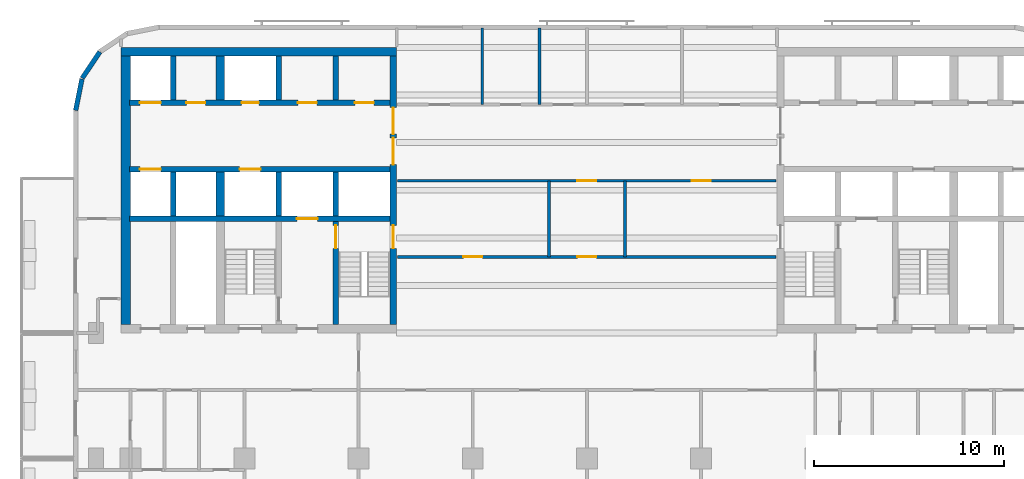
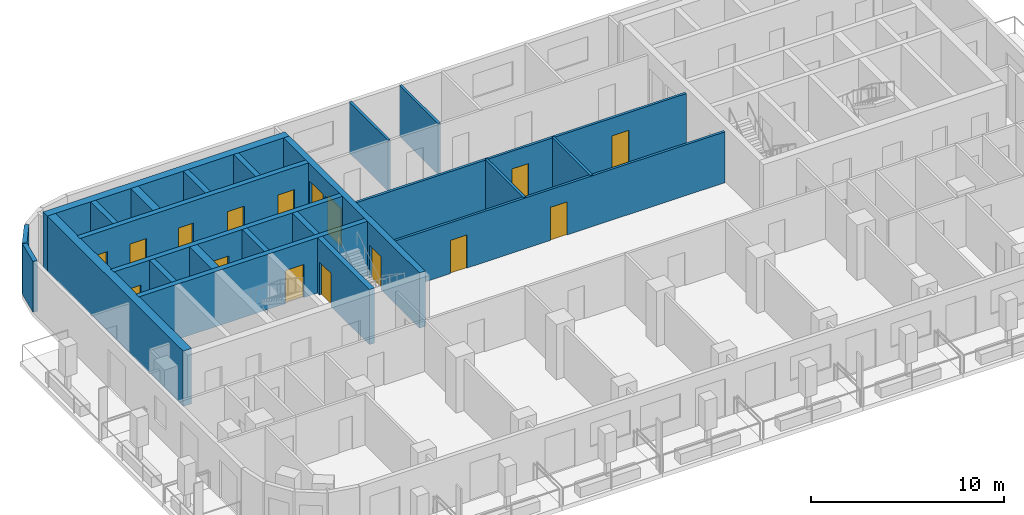
# One storey, part 4 of 11: 23 walls, 16 doors, 16 openings.
"""IFC4 building model written with IfcOpenShell, lengths in metres."""

from ifc_helpers import new_model, si_unit, direction, frame, frame_2d, origin, place, context, subcontext, project, spatial, rectangle, extrude, material, layer, layer_set, type_object, element, fill, save


model = new_model("IFC4")

# Units and contexts
model_context = context("Model", 3, precision=1e-05, world=origin(), true_north=direction((0.0, 1.0)))
body_context = subcontext(model_context, "Body", "Model", "MODEL_VIEW")
ifc_project = project(units=[si_unit("LENGTHUNIT", "METRE"), si_unit("AREAUNIT", "SQUARE_METRE"), si_unit("VOLUMEUNIT", "CUBIC_METRE"), si_unit("PLANEANGLEUNIT", "RADIAN"), si_unit("MASSUNIT", "GRAM", prefix="KILO")], contexts=[model_context])

# Site, building, storey
site_placement = place(None, origin())
site = spatial("IfcSite", under=ifc_project, at=site_placement, CompositionType="ELEMENT")
building_placement = place(site_placement, origin())
building = spatial("IfcBuilding", under=site, at=building_placement, Name="Torana Hotel and Residences", CompositionType="ELEMENT")
storey_placement = place(building_placement, frame((0.0, 0.0, 194.10009765625)))
storey = spatial("IfcBuildingStorey", under=building, at=storey_placement, Name="L50", CompositionType="ELEMENT", Elevation=194.10009765625)

# Wall, openings, doors
ifc_material_1 = material(Name="Concrete C70/85", Category="concrete")
ifc_layer_1 = layer(ifc_material_1, 0.300048828125)
ifc_layer_set_1 = layer_set([ifc_layer_1], Name="CORE WALL 300 C70/85")
wall_type_1 = type_object("IfcWallType", Name="CORE WALL 300 C70/85", PredefinedType="SHEAR", material=ifc_layer_set_1)
wall_1_placement = place(storey_placement, frame((-24.050048828125, -2.89990234375, 0.0), z_axis=(0.0, 0.0, 1.0), x_axis=(1.0, 0.0, 0.0)))
wall_1 = element("IfcWall", 1, at=wall_1_placement, inside=storey, type_object=wall_type_1, Name="Core wall W row-N", PredefinedType="SHEAR", context=body_context, shape_type="SweptSolid", body=[
    extrude(rectangle(XDim=13.699951171875, YDim=0.300048828125, at=frame_2d((6.85009765625, 0.0))), origin(), (0.0, 0.0, 1.0), 3.5),
])
opening_1_placement = place(wall_1_placement, frame((0.550048828125, 0.0, 0.0)))
opening_1 = element("IfcOpeningElement", 2, at=opening_1_placement, cuts=wall_1, Name="Opening LD", PredefinedType="OPENING", context=body_context, shape_type="SweptSolid", body=[
    extrude(rectangle(XDim=1.10009765625, YDim=2.10009765625, at=frame_2d((0.550048828125, 1.050048828125))), frame((0.0, 0.159912109375, 0.0), z_axis=(0.0, -1.0, 0.0), x_axis=(1.0, 0.0, 0.0)), (0.0, 0.0, 1.0), 0.320068359375),
])
opening_2_placement = place(wall_1_placement, frame((5.89990234375, 0.0, 0.0)))
opening_2 = element("IfcOpeningElement", 3, at=opening_2_placement, cuts=wall_1, Name="Opening L50-08", PredefinedType="OPENING", context=body_context, shape_type="SweptSolid", body=[
    extrude(rectangle(XDim=0.89990234375, YDim=2.10009765625, at=frame_2d((0.449951171875, 1.050048828125))), frame((0.0, 0.159912109375, 0.0), z_axis=(0.0, -1.0, 0.0), x_axis=(1.0, 0.0, 0.0)), (0.0, 0.0, 1.0), 0.320068359375),
])
opening_3_placement = place(wall_1_placement, frame((11.85009765625, 0.0, 0.0)))
opening_3 = element("IfcOpeningElement", 4, at=opening_3_placement, cuts=wall_1, Name="Opening L50-09", PredefinedType="OPENING", context=body_context, shape_type="SweptSolid", body=[
    extrude(rectangle(XDim=1.0, YDim=2.10009765625, at=frame_2d((0.5, 1.050048828125))), frame((0.0, 0.159912109375, 0.0), z_axis=(0.0, -1.0, 0.0), x_axis=(1.0, 0.0, 0.0)), (0.0, 0.0, 1.0), 0.320068359375),
])
opening_4_placement = place(wall_1_placement, frame((8.85009765625, 0.0, 0.0)))
opening_4 = element("IfcOpeningElement", 5, at=opening_4_placement, cuts=wall_1, Name="Opening L50-10", PredefinedType="OPENING", context=body_context, shape_type="SweptSolid", body=[
    extrude(rectangle(XDim=1.0, YDim=2.10009765625, at=frame_2d((0.5, 1.050048828125))), frame((0.0, 0.159912109375, 0.0), z_axis=(0.0, -1.0, 0.0), x_axis=(1.0, 0.0, 0.0)), (0.0, 0.0, 1.0), 0.320068359375),
])
opening_5_placement = place(wall_1_placement, frame((3.0, 0.0, 0.0)))
opening_5 = element("IfcOpeningElement", 6, at=opening_5_placement, cuts=wall_1, Name="Opening L50-11", PredefinedType="OPENING", context=body_context, shape_type="SweptSolid", body=[
    extrude(rectangle(XDim=1.0, YDim=2.10009765625, at=frame_2d((0.5, 1.050048828125))), frame((0.0, 0.159912109375, 0.0), z_axis=(0.0, -1.0, 0.0), x_axis=(1.0, 0.0, 0.0)), (0.0, 0.0, 1.0), 0.320068359375),
])
ifc_material_2 = material(Name="Steel S235", Category="steel")
door_type_1 = type_object("IfcDoorType", Name="CORE ROOM FIRE DOOR D14 1000x2100", OperationType="SINGLE_SWING_LEFT", PredefinedType="DOOR", material=ifc_material_2)
door_1_placement = place(opening_3_placement, origin())
door_1 = element("IfcDoor", 7, at=door_1_placement, inside=storey, type_object=door_type_1, Name="N0 door L50", OperationType="SINGLE_SWING_RIGHT", OverallHeight=2.10009765625, OverallWidth=1.0, PredefinedType="DOOR", context=body_context, shape_type="SweptSolid", body=[
    extrude(rectangle(XDim=1.0, YDim=2.10009765625, at=frame_2d((0.5, 1.050048828125))), frame((0.0, 0.02490234375, 0.0), z_axis=(0.0, -1.0, 0.0), x_axis=(1.0, 0.0, 0.0)), (0.0, 0.0, 1.0), 0.050048828125),
])
fill(opening_3, door_1)
door_2_placement = place(opening_4_placement, origin())
door_2 = element("IfcDoor", 8, at=door_2_placement, inside=storey, type_object=door_type_1, Name="N1 door L50", OperationType="SINGLE_SWING_RIGHT", OverallHeight=2.10009765625, OverallWidth=1.0, PredefinedType="DOOR", context=body_context, shape_type="SweptSolid", body=[
    extrude(rectangle(XDim=1.0, YDim=2.10009765625, at=frame_2d((0.5, 1.050048828125))), frame((0.0, 0.02490234375, 0.0), z_axis=(0.0, -1.0, 0.0), x_axis=(1.0, 0.0, 0.0)), (0.0, 0.0, 1.0), 0.050048828125),
])
fill(opening_4, door_2)
door_3_placement = place(opening_5_placement, origin())
door_3 = element("IfcDoor", 9, at=door_3_placement, inside=storey, type_object=door_type_1, Name="Freed-S1 door L50", OperationType="SINGLE_SWING_RIGHT", OverallHeight=2.10009765625, OverallWidth=1.0, PredefinedType="DOOR", context=body_context, shape_type="SweptSolid", body=[
    extrude(rectangle(XDim=1.0, YDim=2.10009765625, at=frame_2d((0.5, 1.050048828125))), frame((0.0, 0.02490234375, 0.0), z_axis=(0.0, -1.0, 0.0), x_axis=(1.0, 0.0, 0.0)), (0.0, 0.0, 1.0), 0.050048828125),
])
fill(opening_5, door_3)
ifc_material_3 = material(Name="Stainless steel 316", Category="steel")
door_type_2 = type_object("IfcDoorType", Name="LIFT LANDING DOOR LD 1100x2100", OperationType="DOUBLE_DOOR_SLIDING", PredefinedType="USERDEFINED", material=ifc_material_3)
door_4_placement = place(opening_1_placement, origin())
door_4 = element("IfcDoor", 10, at=door_4_placement, inside=storey, type_object=door_type_2, Name="Lift landing door M1 L50", ObjectType="LIFT LANDING DOOR", OperationType="DOUBLE_DOOR_SLIDING", OverallHeight=2.10009765625, OverallWidth=1.10009765625, PredefinedType="USERDEFINED", context=body_context, shape_type="SweptSolid", body=[
    extrude(rectangle(XDim=1.10009765625, YDim=2.10009765625, at=frame_2d((0.550048828125, 1.050048828125))), frame((0.0, 0.02490234375, 0.0), z_axis=(0.0, -1.0, 0.0), x_axis=(1.0, 0.0, 0.0)), (0.0, 0.0, 1.0), 0.050048828125),
])
fill(opening_1, door_4)
ifc_material_4 = material(Name="Steel S235", Category="steel")
door_type_3 = type_object("IfcDoorType", Name="RISER ACCESS DOOR D5 900x2100", OperationType="SINGLE_SWING_LEFT", PredefinedType="DOOR", material=ifc_material_4)
door_5_placement = place(opening_2_placement, origin())
door_5 = element("IfcDoor", 11, at=door_5_placement, inside=storey, type_object=door_type_3, Name="N2 door L50", OperationType="SINGLE_SWING_RIGHT", OverallHeight=2.10009765625, OverallWidth=0.89990234375, PredefinedType="DOOR", context=body_context, shape_type="SweptSolid", body=[
    extrude(rectangle(XDim=0.89990234375, YDim=2.10009765625, at=frame_2d((0.449951171875, 1.050048828125))), frame((0.0, 0.02490234375, 0.0), z_axis=(0.0, -1.0, 0.0), x_axis=(1.0, 0.0, 0.0)), (0.0, 0.0, 1.0), 0.050048828125),
])
fill(opening_2, door_5)

wall_2_placement = place(storey_placement, frame((-24.050048828125, -6.39990234375, 0.0), z_axis=(0.0, 0.0, 1.0), x_axis=(1.0, 0.0, 0.0)))
wall_2 = element("IfcWall", 12, at=wall_2_placement, inside=storey, type_object=wall_type_1, Name="Core wall W row-S", PredefinedType="SHEAR", context=body_context, shape_type="SweptSolid", body=[
    extrude(rectangle(XDim=13.699951171875, YDim=0.300048828125, at=frame_2d((6.85009765625, 0.0))), origin(), (0.0, 0.0, 1.0), 3.5),
])
opening_6_placement = place(wall_2_placement, frame((0.550048828125, 0.0, 0.0)))
opening_6 = element("IfcOpeningElement", 13, at=opening_6_placement, cuts=wall_2, Name="Opening LD", PredefinedType="OPENING", context=body_context, shape_type="SweptSolid", body=[
    extrude(rectangle(XDim=1.10009765625, YDim=2.10009765625, at=frame_2d((0.550048828125, 1.050048828125))), frame((0.0, 0.159912109375, 0.0), z_axis=(0.0, -1.0, 0.0), x_axis=(1.0, 0.0, 0.0)), (0.0, 0.0, 1.0), 0.320068359375),
])
opening_7_placement = place(wall_2_placement, frame((5.800048828125, 0.0, 0.0)))
opening_7 = element("IfcOpeningElement", 14, at=opening_7_placement, cuts=wall_2, Name="Opening LD", PredefinedType="OPENING", context=body_context, shape_type="SweptSolid", body=[
    extrude(rectangle(XDim=1.10009765625, YDim=2.10009765625, at=frame_2d((0.550048828125, 1.050048828125))), frame((0.0, 0.159912109375, 0.0), z_axis=(0.0, -1.0, 0.0), x_axis=(1.0, 0.0, 0.0)), (0.0, 0.0, 1.0), 0.320068359375),
])
door_6_placement = place(opening_6_placement, origin())
door_6 = element("IfcDoor", 15, at=door_6_placement, inside=storey, type_object=door_type_2, Name="Lift landing door M2 L50", ObjectType="LIFT LANDING DOOR", OperationType="DOUBLE_DOOR_SLIDING", OverallHeight=2.10009765625, OverallWidth=1.10009765625, PredefinedType="USERDEFINED", context=body_context, shape_type="SweptSolid", body=[
    extrude(rectangle(XDim=1.10009765625, YDim=2.10009765625, at=frame_2d((0.550048828125, 1.050048828125))), frame((0.0, 0.02490234375, 0.0), z_axis=(0.0, -1.0, 0.0), x_axis=(1.0, 0.0, 0.0)), (0.0, 0.0, 1.0), 0.050048828125),
])
fill(opening_6, door_6)
door_7_placement = place(opening_7_placement, origin())
door_7 = element("IfcDoor", 16, at=door_7_placement, inside=storey, type_object=door_type_2, Name="Lift landing door SV1 L50", ObjectType="LIFT LANDING DOOR", OperationType="DOUBLE_DOOR_SLIDING", OverallHeight=2.10009765625, OverallWidth=1.10009765625, PredefinedType="USERDEFINED", context=body_context, shape_type="SweptSolid", body=[
    extrude(rectangle(XDim=1.10009765625, YDim=2.10009765625, at=frame_2d((0.550048828125, 1.050048828125))), frame((0.0, 0.02490234375, 0.0), z_axis=(0.0, -1.0, 0.0), x_axis=(1.0, 0.0, 0.0)), (0.0, 0.0, 1.0), 0.050048828125),
])
fill(opening_7, door_7)

# Wall, opening, door
wall_3_placement = place(storey_placement, frame((-24.050048828125, -9.0, 0.0), z_axis=(0.0, 0.0, 1.0), x_axis=(1.0, 0.0, 0.0)))
wall_3 = element("IfcWall", 17, at=wall_3_placement, inside=storey, type_object=wall_type_1, Name="Core wall W band", PredefinedType="SHEAR", context=body_context, shape_type="SweptSolid", body=[
    extrude(rectangle(XDim=13.699951171875, YDim=0.300048828125, at=frame_2d((6.85009765625, 0.0))), origin(), (0.0, 0.0, 1.0), 3.5),
])
opening_8_placement = place(wall_3_placement, frame((8.800048828125, 0.0, 0.0)))
opening_8 = element("IfcOpeningElement", 18, at=opening_8_placement, cuts=wall_3, Name="Opening LD", PredefinedType="OPENING", context=body_context, shape_type="SweptSolid", body=[
    extrude(rectangle(XDim=1.10009765625, YDim=2.10009765625, at=frame_2d((0.550048828125, 1.050048828125))), frame((0.0, 0.159912109375, 0.0), z_axis=(0.0, -1.0, 0.0), x_axis=(1.0, 0.0, 0.0)), (0.0, 0.0, 1.0), 0.320068359375),
])
door_8_placement = place(opening_8_placement, origin())
door_8 = element("IfcDoor", 19, at=door_8_placement, inside=storey, type_object=door_type_2, Name="Lift landing door FF1 L50", ObjectType="LIFT LANDING DOOR", OperationType="DOUBLE_DOOR_SLIDING", OverallHeight=2.10009765625, OverallWidth=1.10009765625, PredefinedType="USERDEFINED", context=body_context, shape_type="SweptSolid", body=[
    extrude(rectangle(XDim=1.10009765625, YDim=2.10009765625, at=frame_2d((0.550048828125, 1.050048828125))), frame((0.0, 0.02490234375, 0.0), z_axis=(0.0, -1.0, 0.0), x_axis=(1.0, 0.0, 0.0)), (0.0, 0.0, 1.0), 0.050048828125),
])
fill(opening_8, door_8)

# Walls
for number, where, z_axis, x_axis, name in (
    (20, (-13.199951171875, -2.75, 0.0), (0.0, 0.0, 1.0), (0.0, 1.0, 0.0), "Core wall W x3.05-N"),
    (21, (-13.199951171875, -8.85009765625, 0.0), (0.0, 0.0, 1.0), (0.0, 1.0, 0.0), "Core wall W x3.05-S"),
):
    element("IfcWall", number, at=place(storey_placement, frame(where, z_axis=z_axis, x_axis=x_axis)), inside=storey, type_object=wall_type_1, Name=name, PredefinedType="SHEAR", context=body_context, shape_type="SweptSolid", body=[
        extrude(rectangle(XDim=2.300048828125, YDim=0.300048828125, at=frame_2d((1.14990234375, 0.0))), origin(), (0.0, 0.0, 1.0), 3.5),
    ])

# Wall, opening, door
wall_4_placement = place(storey_placement, frame((-13.199951171875, -14.550048828125, 0.0), z_axis=(0.0, 0.0, 1.0), x_axis=(0.0, 1.0, 0.0)))
wall_4 = element("IfcWall", 22, at=wall_4_placement, inside=storey, type_object=wall_type_1, Name="Core wall W x3.05-band", PredefinedType="SHEAR", context=body_context, shape_type="SweptSolid", body=[
    extrude(rectangle(XDim=5.400146484375, YDim=0.300048828125, at=frame_2d((2.7001953125, 0.0))), origin(), (0.0, 0.0, 1.0), 3.5),
])
opening_9_placement = place(wall_4_placement, frame((4.0, 0.0, 0.0)))
opening_9 = element("IfcOpeningElement", 23, at=opening_9_placement, cuts=wall_4, Name="Opening L50-12", PredefinedType="OPENING", context=body_context, shape_type="SweptSolid", body=[
    extrude(rectangle(XDim=1.199951171875, YDim=2.10009765625, at=frame_2d((0.60009765625, 1.050048828125))), frame((0.0, 0.159912109375, 0.0), z_axis=(0.0, -1.0, 0.0), x_axis=(1.0, 0.0, 0.0)), (0.0, 0.0, 1.0), 0.320068359375),
])
ifc_material_5 = material(Name="Steel S235", Category="steel")
door_type_4 = type_object("IfcDoorType", Name="STAIR FIRE DOOR D3 1200x2100", OperationType="SINGLE_SWING_LEFT", PredefinedType="DOOR", material=ifc_material_5)
door_9_placement = place(opening_9_placement, frame((0.60009765625, 0.0, 0.0), z_axis=(0.0, 0.0, 1.0), x_axis=(-1.0, 0.0, 0.0)))
door_9 = element("IfcDoor", 24, at=door_9_placement, inside=storey, type_object=door_type_4, Name="Stair-A-lobby door L50", OperationType="SINGLE_SWING_RIGHT", OverallHeight=2.10009765625, OverallWidth=1.199951171875, PredefinedType="DOOR", context=body_context, shape_type="SweptSolid", body=[
    extrude(rectangle(XDim=1.199951171875, YDim=2.10009765625, at=frame_2d((0.0, 1.050048828125))), frame((0.0, -0.02490234375, 0.0), z_axis=(0.0, 1.0, 0.0), x_axis=(-1.0, 0.0, 0.0)), (0.0, 0.0, 1.0), 0.050048828125),
])
fill(opening_9, door_9)

# Walls
for number, where, z_axis, x_axis, name in (
    (25, (-16.199951171875, -2.75, 0.0), (0.0, 0.0, 1.0), (0.0, 1.0, 0.0), "Core wall W x6.05-N"),
    (26, (-16.199951171875, -8.85009765625, 0.0), (0.0, 0.0, 1.0), (0.0, 1.0, 0.0), "Core wall W x6.05-S"),
    (27, (-21.75, -2.75, 0.0), (0.0, 0.0, 1.0), (0.0, 1.0, 0.0), "Core wall W mm-N"),
    (28, (-21.75, -8.85009765625, 0.0), (0.0, 0.0, 1.0), (0.0, 1.0, 0.0), "Core wall W mm-S"),
):
    element("IfcWall", number, at=place(storey_placement, frame(where, z_axis=z_axis, x_axis=x_axis)), inside=storey, type_object=wall_type_1, Name=name, PredefinedType="SHEAR", context=body_context, shape_type="SweptSolid", body=[
        extrude(rectangle(XDim=2.300048828125, YDim=0.300048828125, at=frame_2d((1.14990234375, 0.0))), origin(), (0.0, 0.0, 1.0), 3.5),
    ])

# Wall, openings, doors
ifc_material_6 = material(Name="Concrete C70/85", Category="concrete")
ifc_layer_2 = layer(ifc_material_6, 0.35009765625)
ifc_layer_set_2 = layer_set([ifc_layer_2], Name="CORE WALL 350 C70/85")
wall_type_2 = type_object("IfcWallType", Name="CORE WALL 350 C70/85", PredefinedType="SHEAR", material=ifc_layer_set_2)
wall_5_placement = place(storey_placement, frame((-10.175048828125, -14.550048828125, 0.0), z_axis=(0.0, 0.0, 1.0), x_axis=(0.0, 1.0, 0.0)))
wall_5 = element("IfcWall", 29, at=wall_5_placement, inside=storey, type_object=wall_type_2, Name="Core wall W arch", PredefinedType="SHEAR", context=body_context, shape_type="SweptSolid", body=[
    extrude(rectangle(XDim=14.10009765625, YDim=0.35009765625, at=frame_2d((7.050048828125, 0.0))), origin(), (0.0, 0.0, 1.0), 3.5),
])
opening_10_placement = place(wall_5_placement, frame((8.39990234375, 0.0, 0.0)))
opening_10 = element("IfcOpeningElement", 30, at=opening_10_placement, cuts=wall_5, Name="Opening L50-01", PredefinedType="OPENING", context=body_context, shape_type="SweptSolid", body=[
    extrude(rectangle(XDim=1.39990234375, YDim=2.39990234375, at=frame_2d((0.699951171875, 1.199951171875))), frame((0.0, 0.18505859375, 0.0), z_axis=(0.0, -1.0, 0.0), x_axis=(1.0, 0.0, 0.0)), (0.0, 0.0, 1.0), 0.3701171875),
])
opening_11_placement = place(wall_5_placement, frame((10.0, 0.0, 0.0)))
opening_11 = element("IfcOpeningElement", 31, at=opening_11_placement, cuts=wall_5, Name="Opening L50-02", PredefinedType="OPENING", context=body_context, shape_type="SweptSolid", body=[
    extrude(rectangle(XDim=1.39990234375, YDim=2.39990234375, at=frame_2d((0.699951171875, 1.199951171875))), frame((0.0, 0.18505859375, 0.0), z_axis=(0.0, -1.0, 0.0), x_axis=(1.0, 0.0, 0.0)), (0.0, 0.0, 1.0), 0.3701171875),
])
opening_12_placement = place(wall_5_placement, frame((4.0, 0.0, 0.0)))
opening_12 = element("IfcOpeningElement", 32, at=opening_12_placement, cuts=wall_5, Name="Opening L50-03", PredefinedType="OPENING", context=body_context, shape_type="SweptSolid", body=[
    extrude(rectangle(XDim=1.199951171875, YDim=2.10009765625, at=frame_2d((0.60009765625, 1.050048828125))), frame((0.0, 0.18505859375, 0.0), z_axis=(0.0, -1.0, 0.0), x_axis=(1.0, 0.0, 0.0)), (0.0, 0.0, 1.0), 0.3701171875),
])
ifc_material_7 = material(Name="Steel S235", Category="steel")
door_type_5 = type_object("IfcDoorType", Name="LOBBY FIRE DOOR D4 1400x2400", OperationType="DOUBLE_DOOR_SINGLE_SWING", PredefinedType="DOOR", material=ifc_material_7)
door_10_placement = place(opening_10_placement, origin())
door_10 = element("IfcDoor", 33, at=door_10_placement, inside=storey, type_object=door_type_5, Name="Lobby-1 door L50", OperationType="DOUBLE_DOOR_SINGLE_SWING", OverallHeight=2.39990234375, OverallWidth=1.39990234375, PredefinedType="DOOR", context=body_context, shape_type="SweptSolid", body=[
    extrude(rectangle(XDim=1.39990234375, YDim=2.39990234375, at=frame_2d((0.699951171875, 1.199951171875))), frame((0.0, 0.02490234375, 0.0), z_axis=(0.0, -1.0, 0.0), x_axis=(1.0, 0.0, 0.0)), (0.0, 0.0, 1.0), 0.050048828125),
])
fill(opening_10, door_10)
door_11_placement = place(opening_11_placement, origin())
door_11 = element("IfcDoor", 34, at=door_11_placement, inside=storey, type_object=door_type_5, Name="Lobby-2 door L50", OperationType="DOUBLE_DOOR_SINGLE_SWING", OverallHeight=2.39990234375, OverallWidth=1.39990234375, PredefinedType="DOOR", context=body_context, shape_type="SweptSolid", body=[
    extrude(rectangle(XDim=1.39990234375, YDim=2.39990234375, at=frame_2d((0.699951171875, 1.199951171875))), frame((0.0, 0.02490234375, 0.0), z_axis=(0.0, -1.0, 0.0), x_axis=(1.0, 0.0, 0.0)), (0.0, 0.0, 1.0), 0.050048828125),
])
fill(opening_11, door_11)
door_12_placement = place(opening_12_placement, origin())
door_12 = element("IfcDoor", 35, at=door_12_placement, inside=storey, type_object=door_type_4, Name="Stair-A door L50", OperationType="SINGLE_SWING_LEFT", OverallHeight=2.10009765625, OverallWidth=1.199951171875, PredefinedType="DOOR", context=body_context, shape_type="SweptSolid", body=[
    extrude(rectangle(XDim=1.199951171875, YDim=2.10009765625, at=frame_2d((0.60009765625, 1.050048828125))), frame((0.0, 0.02490234375, 0.0), z_axis=(0.0, -1.0, 0.0), x_axis=(1.0, 0.0, 0.0)), (0.0, 0.0, 1.0), 0.050048828125),
])
fill(opening_12, door_12)

# Walls
ifc_material_8 = material(Name="Concrete C70/85", Category="concrete")
ifc_layer_3 = layer(ifc_material_8, 0.449951171875)
ifc_layer_set_3 = layer_set([ifc_layer_3], Name="CORE WALL 450 C70/85")
wall_type_3 = type_object("IfcWallType", Name="CORE WALL 450 C70/85", PredefinedType="SHEAR", material=ifc_layer_set_3)
wall_6_placement = place(storey_placement, frame((-24.5, -0.22509765625, 0.0), z_axis=(0.0, 0.0, 1.0), x_axis=(1.0, 0.0, 0.0)))
element("IfcWall", 36, at=wall_6_placement, inside=storey, type_object=wall_type_3, Name="Core wall W rear", PredefinedType="SHEAR", context=body_context, shape_type="SweptSolid", body=[
    extrude(rectangle(XDim=14.5, YDim=0.449951171875, at=frame_2d((7.25, 0.0))), origin(), (0.0, 0.0, 1.0), 3.5),
])
for number, where, z_axis, x_axis, name in (
    (37, (-19.27490234375, -2.75, 0.0), (0.0, 0.0, 1.0), (0.0, 1.0, 0.0), "Core wall W hm-N"),
    (38, (-19.27490234375, -8.85009765625, 0.0), (0.0, 0.0, 1.0), (0.0, 1.0, 0.0), "Core wall W hm-S"),
):
    element("IfcWall", number, at=place(storey_placement, frame(where, z_axis=z_axis, x_axis=x_axis)), inside=storey, type_object=wall_type_3, Name=name, PredefinedType="SHEAR", context=body_context, shape_type="SweptSolid", body=[
        extrude(rectangle(XDim=2.300048828125, YDim=0.449951171875, at=frame_2d((1.14990234375, 0.0))), origin(), (0.0, 0.0, 1.0), 3.5),
    ])
ifc_material_9 = material(Name="Concrete C70/85", Category="concrete")
ifc_layer_4 = layer(ifc_material_9, 0.5)
ifc_layer_set_4 = layer_set([ifc_layer_4], Name="CORE WALL 500 C70/85")
wall_type_4 = type_object("IfcWallType", Name="CORE WALL 500 C70/85", PredefinedType="SHEAR", material=ifc_layer_set_4)
wall_7_placement = place(storey_placement, frame((-24.25, -14.550048828125, 0.0), z_axis=(0.0, 0.0, 1.0), x_axis=(0.0, 1.0, 0.0)))
element("IfcWall", 39, at=wall_7_placement, inside=storey, type_object=wall_type_4, Name="Core wall W outer", PredefinedType="SHEAR", context=body_context, shape_type="SweptSolid", body=[
    extrude(rectangle(XDim=14.10009765625, YDim=0.5, at=frame_2d((7.050048828125, 0.0))), origin(), (0.0, 0.0, 1.0), 3.5),
])
ifc_material_10 = material(Name="Black aluminium composite panel", Category="aluminium")
ifc_layer_5 = layer(ifc_material_10, 0.00390625, Name="Cladding", Category="cladding")
ifc_material_11 = material(Name="Ventilated air cavity")
ifc_layer_6 = layer(ifc_material_11, 0.0400390625, Name="Ventilated cavity", Category="cavity")
ifc_material_12 = material(Name="Mineral wool insulation")
ifc_layer_7 = layer(ifc_material_12, 0.090087890625, Name="Insulation", Category="insulation")
ifc_material_13 = material(Name="Steel S280GD", Category="steel")
ifc_layer_8 = layer(ifc_material_13, 0.092041015625, Name="Steel stud frame", Category="structure")
ifc_material_14 = material(Name="Fire rated plasterboard")
ifc_layer_9 = layer(ifc_material_14, 0.011962890625, Name="Inner board", Category="finish")
ifc_layer_10 = layer(ifc_material_14, 0.011962890625, Name="Second board", Category="finish")
ifc_layer_set_5 = layer_set([ifc_layer_5, ifc_layer_6, ifc_layer_7, ifc_layer_8, ifc_layer_9, ifc_layer_10], Name="EW1 EXTERNAL WALL BLACK METAL CLAD 250")
wall_type_5 = type_object("IfcWallType", Name="EW1 EXTERNAL WALL BLACK METAL CLAD 250", PredefinedType="SOLIDWALL", material=ifc_layer_set_5)
wall_8_placement = place(storey_placement, frame((-25.605712890625, -0.228759765625, 0.0), z_axis=(0.0, 0.0, 1.0), x_axis=(-0.55555029066, -0.831482937015, 0.0)))
element("IfcWall", 40, at=wall_8_placement, inside=storey, type_object=wall_type_5, Name="External wall L50 e0.7", PredefinedType="SOLIDWALL", context=body_context, shape_type="SweptSolid", body=[
    extrude(rectangle(XDim=1.65625, YDim=0.25, at=frame_2d((0.828125, 0.0))), origin(), (0.0, 0.0, 1.0), 3.219970703125),
])
wall_9_placement = place(storey_placement, frame((-26.544677734375, -1.651123046875, 0.0), z_axis=(0.0, 0.0, 1.0), x_axis=(-0.194999110559, -0.980803419081, 0.0)))
element("IfcWall", 41, at=wall_9_placement, inside=storey, type_object=wall_type_5, Name="External wall L50 e0.8", PredefinedType="SOLIDWALL", context=body_context, shape_type="SweptSolid", body=[
    extrude(rectangle(XDim=1.681396484375, YDim=0.25, at=frame_2d((0.8408203125, 0.0))), origin(), (0.0, 0.0, 1.0), 3.219970703125),
])
ifc_material_15 = material(Name="Gypsum plaster")
ifc_layer_11 = layer(ifc_material_15, 0.014892578125, Name="Plaster", Category="finish")
ifc_material_16 = material(Name="Concrete blockwork", Category="masonry")
ifc_layer_12 = layer(ifc_material_16, 0.1201171875, Name="Blockwork", Category="structure")
ifc_layer_13 = layer(ifc_material_15, 0.014892578125, Name="Plaster", Category="finish")
ifc_layer_set_6 = layer_set([ifc_layer_11, ifc_layer_12, ifc_layer_13], Name="FIRE PARTITION 150 BLOCKWORK")
wall_type_6 = type_object("IfcWallType", Name="FIRE PARTITION 150 BLOCKWORK", PredefinedType="PARTITIONING", material=ifc_layer_set_6)
for number, where, z_axis, x_axis, name in (
    (42, (2.0, -11.0, 0.0), (0.0, 0.0, 1.0), (0.0, 1.0, 0.0), "Partition L50"),
    (43, (-2.0, -11.0, 0.0), (0.0, 0.0, 1.0), (0.0, 1.0, 0.0), "Partition L50"),
):
    element("IfcWall", number, at=place(storey_placement, frame(where, z_axis=z_axis, x_axis=x_axis)), inside=storey, type_object=wall_type_6, Name=name, PredefinedType="PARTITIONING", context=body_context, shape_type="SweptSolid", body=[
        extrude(rectangle(XDim=4.0, YDim=0.14990234375, at=frame_2d((2.0, 0.0))), origin(), (0.0, 0.0, 1.0), 3.219970703125),
    ])

# Wall, openings, doors
wall_10_placement = place(storey_placement, frame((-9.949951171875, -11.0, 0.0), z_axis=(0.0, 0.0, 1.0), x_axis=(1.0, 0.0, 0.0)))
wall_10 = element("IfcWall", 44, at=wall_10_placement, inside=storey, type_object=wall_type_6, Name="Partition L50", PredefinedType="PARTITIONING", context=body_context, shape_type="SweptSolid", body=[
    extrude(rectangle(XDim=19.89990234375, YDim=0.14990234375, at=frame_2d((9.949951171875, 0.0))), origin(), (0.0, 0.0, 1.0), 3.219970703125),
])
opening_13_placement = place(wall_10_placement, frame((9.449951171875, 0.0, 0.0)))
opening_13 = element("IfcOpeningElement", 45, at=opening_13_placement, cuts=wall_10, Name="Opening L50-37", PredefinedType="OPENING", context=body_context, shape_type="SweptSolid", body=[
    extrude(rectangle(XDim=1.0, YDim=2.10009765625, at=frame_2d((0.5, 1.050048828125))), frame((0.0, 0.0849609375, 0.0), z_axis=(0.0, -1.0, 0.0), x_axis=(1.0, 0.0, 0.0)), (0.0, 0.0, 1.0), 0.169921875),
])
opening_14_placement = place(wall_10_placement, frame((3.449951171875, 0.0, 0.0)))
opening_14 = element("IfcOpeningElement", 46, at=opening_14_placement, cuts=wall_10, Name="Opening L50-42", PredefinedType="OPENING", context=body_context, shape_type="SweptSolid", body=[
    extrude(rectangle(XDim=1.0, YDim=2.10009765625, at=frame_2d((0.5, 1.050048828125))), frame((0.0, 0.0849609375, 0.0), z_axis=(0.0, -1.0, 0.0), x_axis=(1.0, 0.0, 0.0)), (0.0, 0.0, 1.0), 0.169921875),
])
ifc_material_17 = material(Name="Steel S235", Category="steel")
door_type_6 = type_object("IfcDoorType", Name="ENTRY FIRE DOOR D6 1000x2100", OperationType="SINGLE_SWING_LEFT", PredefinedType="DOOR", material=ifc_material_17)
door_13_placement = place(opening_13_placement, origin())
door_13 = element("IfcDoor", 47, at=door_13_placement, inside=storey, type_object=door_type_6, Name="Door L50", OperationType="SINGLE_SWING_RIGHT", OverallHeight=2.10009765625, OverallWidth=1.0, PredefinedType="DOOR", context=body_context, shape_type="SweptSolid", body=[
    extrude(rectangle(XDim=1.0, YDim=2.10009765625, at=frame_2d((0.5, 1.050048828125))), frame((0.0, 0.02490234375, 0.0), z_axis=(0.0, -1.0, 0.0), x_axis=(1.0, 0.0, 0.0)), (0.0, 0.0, 1.0), 0.050048828125),
])
fill(opening_13, door_13)
door_14_placement = place(opening_14_placement, origin())
door_14 = element("IfcDoor", 48, at=door_14_placement, inside=storey, type_object=door_type_6, Name="Door L50", OperationType="SINGLE_SWING_RIGHT", OverallHeight=2.10009765625, OverallWidth=1.0, PredefinedType="DOOR", context=body_context, shape_type="SweptSolid", body=[
    extrude(rectangle(XDim=1.0, YDim=2.10009765625, at=frame_2d((0.5, 1.050048828125))), frame((0.0, 0.02490234375, 0.0), z_axis=(0.0, -1.0, 0.0), x_axis=(1.0, 0.0, 0.0)), (0.0, 0.0, 1.0), 0.050048828125),
])
fill(opening_14, door_14)

wall_11_placement = place(storey_placement, frame((-9.949951171875, -7.0, 0.0), z_axis=(0.0, 0.0, 1.0), x_axis=(1.0, 0.0, 0.0)))
wall_11 = element("IfcWall", 49, at=wall_11_placement, inside=storey, type_object=wall_type_6, Name="Partition L50", PredefinedType="PARTITIONING", context=body_context, shape_type="SweptSolid", body=[
    extrude(rectangle(XDim=19.89990234375, YDim=0.14990234375, at=frame_2d((9.949951171875, 0.0))), origin(), (0.0, 0.0, 1.0), 3.219970703125),
])
opening_15_placement = place(wall_11_placement, frame((9.449951171875, 0.0, 0.0)))
opening_15 = element("IfcOpeningElement", 50, at=opening_15_placement, cuts=wall_11, Name="Opening L50-43", PredefinedType="OPENING", context=body_context, shape_type="SweptSolid", body=[
    extrude(rectangle(XDim=1.0, YDim=2.10009765625, at=frame_2d((0.5, 1.050048828125))), frame((0.0, 0.0849609375, 0.0), z_axis=(0.0, -1.0, 0.0), x_axis=(1.0, 0.0, 0.0)), (0.0, 0.0, 1.0), 0.169921875),
])
opening_16_placement = place(wall_11_placement, frame((15.449951171875, 0.0, 0.0)))
opening_16 = element("IfcOpeningElement", 51, at=opening_16_placement, cuts=wall_11, Name="Opening L50-44", PredefinedType="OPENING", context=body_context, shape_type="SweptSolid", body=[
    extrude(rectangle(XDim=1.0, YDim=2.10009765625, at=frame_2d((0.5, 1.050048828125))), frame((0.0, 0.0849609375, 0.0), z_axis=(0.0, -1.0, 0.0), x_axis=(1.0, 0.0, 0.0)), (0.0, 0.0, 1.0), 0.169921875),
])
door_15_placement = place(opening_15_placement, origin())
door_15 = element("IfcDoor", 52, at=door_15_placement, inside=storey, type_object=door_type_6, Name="Door L50", OperationType="SINGLE_SWING_RIGHT", OverallHeight=2.10009765625, OverallWidth=1.0, PredefinedType="DOOR", context=body_context, shape_type="SweptSolid", body=[
    extrude(rectangle(XDim=1.0, YDim=2.10009765625, at=frame_2d((0.5, 1.050048828125))), frame((0.0, 0.02490234375, 0.0), z_axis=(0.0, -1.0, 0.0), x_axis=(1.0, 0.0, 0.0)), (0.0, 0.0, 1.0), 0.050048828125),
])
fill(opening_15, door_15)
door_16_placement = place(opening_16_placement, frame((0.5, 0.0, 0.0), z_axis=(0.0, 0.0, 1.0), x_axis=(-1.0, 0.0, 0.0)))
door_16 = element("IfcDoor", 53, at=door_16_placement, inside=storey, type_object=door_type_6, Name="Door L50", OperationType="SINGLE_SWING_LEFT", OverallHeight=2.10009765625, OverallWidth=1.0, PredefinedType="DOOR", context=body_context, shape_type="SweptSolid", body=[
    extrude(rectangle(XDim=1.0, YDim=2.10009765625, at=frame_2d((0.0, 1.050048828125))), frame((0.0, -0.02490234375, 0.0), z_axis=(0.0, 1.0, 0.0), x_axis=(-1.0, 0.0, 0.0)), (0.0, 0.0, 1.0), 0.050048828125),
])
fill(opening_16, door_16)

# Walls
ifc_material_18 = material(Name="Ceramic tile on adhesive")
ifc_layer_14 = layer(ifc_material_18, 0.010009765625, Name="Wall tile", Category="finish")
ifc_material_19 = material(Name="Cement render")
ifc_layer_15 = layer(ifc_material_19, 0.010009765625, Name="Render", Category="finish")
ifc_layer_16 = layer(ifc_material_16, 0.110107421875, Name="Blockwork", Category="structure")
ifc_layer_17 = layer(ifc_material_19, 0.010009765625, Name="Render", Category="finish")
ifc_layer_18 = layer(ifc_material_18, 0.010009765625, Name="Wall tile", Category="finish")
ifc_layer_set_7 = layer_set([ifc_layer_14, ifc_layer_15, ifc_layer_16, ifc_layer_17, ifc_layer_18], Name="WC PARTITION 150")
wall_type_7 = type_object("IfcWallType", Name="WC PARTITION 150", PredefinedType="PLUMBINGWALL", material=ifc_layer_set_7)
for number, where, z_axis, x_axis, name in (
    (54, (-2.5, -3.0, 0.0), (0.0, 0.0, 1.0), (0.0, 1.0, 0.0), "Partition L50"),
    (55, (-5.5, -3.0, 0.0), (0.0, 0.0, 1.0), (0.0, 1.0, 0.0), "Partition L50"),
):
    element("IfcWall", number, at=place(storey_placement, frame(where, z_axis=z_axis, x_axis=x_axis)), inside=storey, type_object=wall_type_7, Name=name, PredefinedType="PLUMBINGWALL", context=body_context, shape_type="SweptSolid", body=[
        extrude(rectangle(XDim=4.02001953125, YDim=0.14990234375, at=frame_2d((2.010009765625, 0.0))), origin(), (0.0, 0.0, 1.0), 3.219970703125),
    ])

save(model, "model.ifc")
